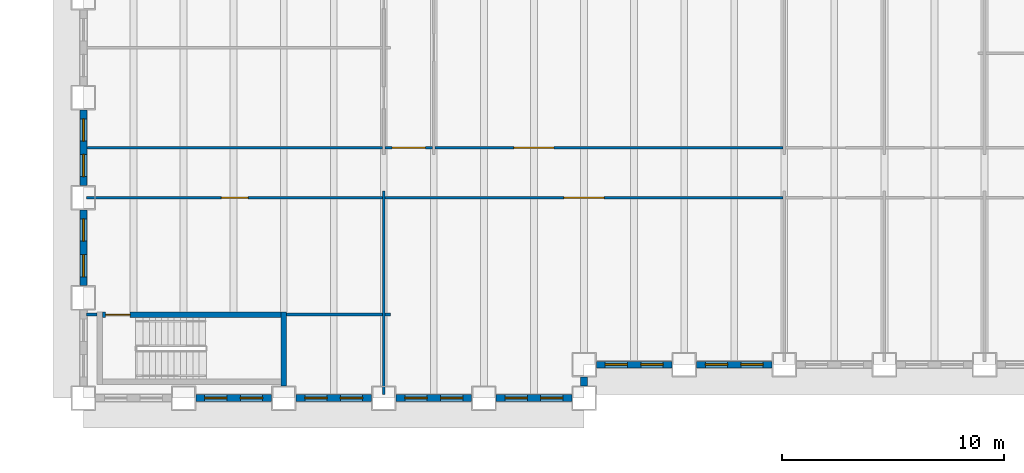
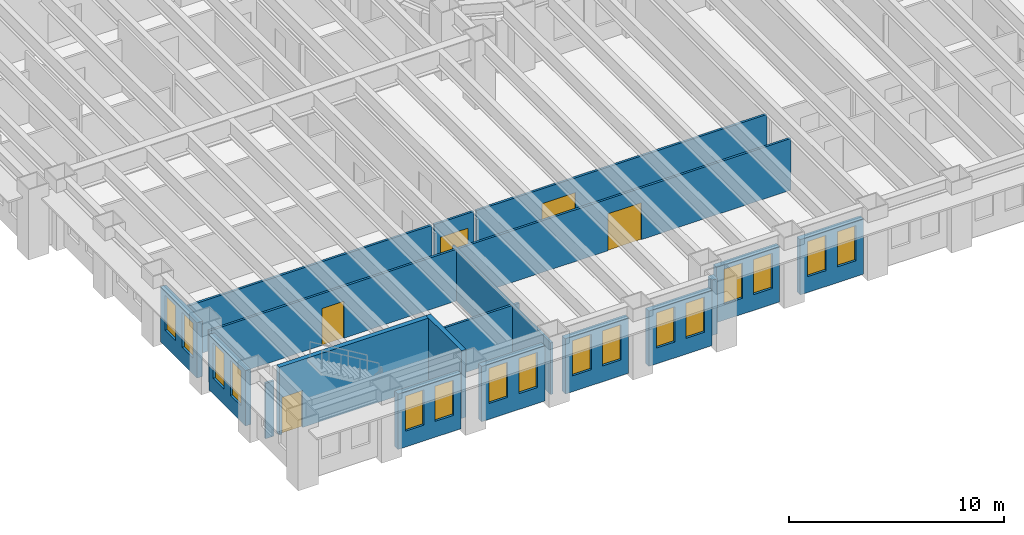
# One storey, part 3 of 15: 20 walls, 16 windows, 5 doors, 21 openings.
"""IFC4 building model written with IfcOpenShell, lengths in metres."""

from ifc_helpers import new_model, si_unit, direction, frame, frame_2d, origin, place, context, subcontext, project, spatial, rectangle, extrude, material, layer, layer_set, type_object, element, fill, save


model = new_model("IFC4")

# Units and contexts
model_context = context("Model", 3, precision=1e-05, world=origin(), true_north=direction((0.0, 1.0)))
body_context = subcontext(model_context, "Body", "Model", "MODEL_VIEW")
ifc_project = project(units=[si_unit("LENGTHUNIT", "METRE"), si_unit("AREAUNIT", "SQUARE_METRE"), si_unit("VOLUMEUNIT", "CUBIC_METRE"), si_unit("PLANEANGLEUNIT", "RADIAN"), si_unit("MASSUNIT", "GRAM", prefix="KILO")], contexts=[model_context])

# Site, building, storey
site_placement = place(None, origin())
site = spatial("IfcSite", under=ifc_project, at=site_placement, CompositionType="ELEMENT")
building_placement = place(site_placement, origin())
building = spatial("IfcBuilding", under=site, at=building_placement, Name="Sennacour Bend Tower", CompositionType="ELEMENT")
storey_placement = place(building_placement, frame((0.0, 0.0, 65.0)))
storey = spatial("IfcBuildingStorey", under=building, at=storey_placement, Name="L14", CompositionType="ELEMENT", Elevation=65.0)

# Walls
ifc_material_1 = material(Name="Plasterboard partition on steel studs", Category="steel")
ifc_layer_1 = layer(ifc_material_1, 0.1201171875, Name="Plasterboard partition on steel studs", Category="steel")
ifc_layer_set_1 = layer_set([ifc_layer_1], Name="Plasterboard partition on steel studs")
wall_type_1 = type_object("IfcWallType", Name="Partition 120", PredefinedType="PARTITIONING", material=ifc_layer_set_1)
wall_1_placement = place(storey_placement, frame((13.5, 0.14990234375, 0.0), z_axis=(0.0, 0.0, 1.0), x_axis=(0.0, 1.0, 0.0)))
element("IfcWall", 1, at=wall_1_placement, inside=storey, type_object=wall_type_1, Name="P-L14-W012a", PredefinedType="PARTITIONING", context=body_context, shape_type="SweptSolid", body=[
    extrude(rectangle(XDim=9.150146484375, YDim=0.1201171875, at=frame_2d((4.5751953125, 0.0))), origin(), (0.0, 0.0, 1.0), 2.93798828125),
])
wall_2_placement = place(storey_placement, frame((0.14990234375, 3.75, 0.0), z_axis=(0.0, 0.0, 1.0), x_axis=(1.0, 0.0, 0.0)))
element("IfcWall", 2, at=wall_2_placement, inside=storey, type_object=wall_type_1, Name="P-L14-W045a", PredefinedType="PARTITIONING", context=body_context, shape_type="SweptSolid", body=[
    extrude(rectangle(XDim=0.4501953125, YDim=0.1201171875, at=frame_2d((0.22509765625, 0.0))), origin(), (0.0, 0.0, 1.0), 3.14404296875),
])
wall_3_placement = place(storey_placement, frame((9.125, 3.75, 0.0), z_axis=(0.0, 0.0, 1.0), x_axis=(1.0, 0.0, 0.0)))
element("IfcWall", 3, at=wall_3_placement, inside=storey, type_object=wall_type_1, Name="P-L14-W047aa", PredefinedType="PARTITIONING", context=body_context, shape_type="SweptSolid", body=[
    extrude(rectangle(XDim=4.31494140625, YDim=0.1201171875, at=frame_2d((2.157470703125, 0.0))), origin(), (0.0, 0.0, 1.0), 2.93798828125),
])
wall_4_placement = place(storey_placement, frame((13.56005859375, 3.75, 0.0), z_axis=(0.0, 0.0, 1.0), x_axis=(1.0, 0.0, 0.0)))
element("IfcWall", 4, at=wall_4_placement, inside=storey, type_object=wall_type_1, Name="P-L14-W047ab", PredefinedType="PARTITIONING", context=body_context, shape_type="SweptSolid", body=[
    extrude(rectangle(XDim=0.239990234375, YDim=0.1201171875, at=frame_2d((0.1201171875, 0.0))), origin(), (0.0, 0.0, 1.0), 2.93798828125),
])

# Wall, opening, door
wall_5_placement = place(storey_placement, frame((13.56005859375, 9.0, 0.0), z_axis=(0.0, 0.0, 1.0), x_axis=(1.0, 0.0, 0.0)))
wall_5 = element("IfcWall", 5, at=wall_5_placement, inside=storey, type_object=wall_type_1, Name="P-L14-W051ab", PredefinedType="PARTITIONING", context=body_context, shape_type="SweptSolid", body=[
    extrude(rectangle(XDim=17.8798828125, YDim=0.1201171875, at=frame_2d((8.93994140625, 0.0))), origin(), (0.0, 0.0, 1.0), 2.93798828125),
])
opening_1_placement = place(wall_5_placement, frame((8.039794921875, 0.0, 0.0)))
opening_1 = element("IfcOpeningElement", 6, at=opening_1_placement, cuts=wall_5, Name="Opening OD3", PredefinedType="OPENING", context=body_context, shape_type="SweptSolid", body=[
    extrude(rectangle(XDim=1.800048828125, YDim=2.10009765625, at=frame_2d((0.89990234375, 1.050048828125))), frame((0.0, 0.070068359375, 0.0), z_axis=(0.0, -1.0, 0.0), x_axis=(1.0, 0.0, 0.0)), (0.0, 0.0, 1.0), 0.14013671875),
])
ifc_material_2 = material(Name="Timber", Category="wood")
door_type_1 = type_object("IfcDoorType", Name="DR-OFFICE-1800", OperationType="NOTDEFINED", PredefinedType="DOOR", material=ifc_material_2)
door_1_placement = place(opening_1_placement, origin())
door_1 = element("IfcDoor", 7, at=door_1_placement, inside=storey, type_object=door_type_1, Name="Door", OperationType="DOUBLE_DOOR_SINGLE_SWING", OverallHeight=2.10009765625, OverallWidth=1.800048828125, PredefinedType="DOOR", context=body_context, shape_type="SweptSolid", body=[
    extrude(rectangle(XDim=1.800048828125, YDim=2.10009765625, at=frame_2d((0.89990234375, 1.050048828125))), frame((0.0, 0.02490234375, 0.0), z_axis=(0.0, -1.0, 0.0), x_axis=(1.0, 0.0, 0.0)), (0.0, 0.0, 1.0), 0.050048828125),
])
fill(opening_1, door_1)

# Wall
wall_6_placement = place(storey_placement, frame((0.14990234375, 11.25, 0.0), z_axis=(0.0, 0.0, 1.0), x_axis=(1.0, 0.0, 0.0)))
element("IfcWall", 8, at=wall_6_placement, inside=storey, type_object=wall_type_1, Name="P-L14-W053aa", PredefinedType="PARTITIONING", context=body_context, shape_type="SweptSolid", body=[
    extrude(rectangle(XDim=13.2900390625, YDim=0.1201171875, at=frame_2d((6.64501953125, 0.0))), origin(), (0.0, 0.0, 1.0), 2.93798828125),
])

# Wall, opening, door
wall_7_placement = place(storey_placement, frame((15.81005859375, 11.25, 0.0), z_axis=(0.0, 0.0, 1.0), x_axis=(1.0, 0.0, 0.0)))
wall_7 = element("IfcWall", 9, at=wall_7_placement, inside=storey, type_object=wall_type_1, Name="P-L14-W053ac", PredefinedType="PARTITIONING", context=body_context, shape_type="SweptSolid", body=[
    extrude(rectangle(XDim=15.6298828125, YDim=0.1201171875, at=frame_2d((7.81494140625, 0.0))), origin(), (0.0, 0.0, 1.0), 2.93798828125),
])
opening_2_placement = place(wall_7_placement, frame((3.539794921875, 0.0, 0.0)))
opening_2 = element("IfcOpeningElement", 10, at=opening_2_placement, cuts=wall_7, Name="Opening OD3", PredefinedType="OPENING", context=body_context, shape_type="SweptSolid", body=[
    extrude(rectangle(XDim=1.800048828125, YDim=2.10009765625, at=frame_2d((0.89990234375, 1.050048828125))), frame((0.0, 0.070068359375, 0.0), z_axis=(0.0, -1.0, 0.0), x_axis=(1.0, 0.0, 0.0)), (0.0, 0.0, 1.0), 0.14013671875),
])
door_2_placement = place(opening_2_placement, origin())
door_2 = element("IfcDoor", 11, at=door_2_placement, inside=storey, type_object=door_type_1, Name="Door", OperationType="DOUBLE_DOOR_SINGLE_SWING", OverallHeight=2.10009765625, OverallWidth=1.800048828125, PredefinedType="DOOR", context=body_context, shape_type="SweptSolid", body=[
    extrude(rectangle(XDim=1.800048828125, YDim=2.10009765625, at=frame_2d((0.89990234375, 1.050048828125))), frame((0.0, 0.02490234375, 0.0), z_axis=(0.0, -1.0, 0.0), x_axis=(1.0, 0.0, 0.0)), (0.0, 0.0, 1.0), 0.050048828125),
])
fill(opening_2, door_2)

ifc_layer_2 = layer(ifc_material_1, 0.1201171875, Name="Plasterboard partition on steel studs", Category="steel")
ifc_layer_set_2 = layer_set([ifc_layer_2], Name="Plasterboard partition on steel studs")
wall_type_2 = type_object("IfcWallType", Name="Partition 120 EI 30", PredefinedType="PARTITIONING", material=ifc_layer_set_2)
wall_8_placement = place(storey_placement, frame((0.14990234375, 9.0, 0.0), z_axis=(0.0, 0.0, 1.0), x_axis=(1.0, 0.0, 0.0)))
wall_8 = element("IfcWall", 12, at=wall_8_placement, inside=storey, type_object=wall_type_2, Name="P-L14-W051aa", PredefinedType="PARTITIONING", context=body_context, shape_type="SweptSolid", body=[
    extrude(rectangle(XDim=13.2900390625, YDim=0.1201171875, at=frame_2d((6.64501953125, 0.0))), origin(), (0.0, 0.0, 1.0), 2.93798828125),
])
opening_3_placement = place(wall_8_placement, frame((6.05517578125, 0.0, 0.0)))
opening_3 = element("IfcOpeningElement", 13, at=opening_3_placement, cuts=wall_8, Name="Opening KD2", PredefinedType="OPENING", context=body_context, shape_type="SweptSolid", body=[
    extrude(rectangle(XDim=1.199951171875, YDim=2.10009765625, at=frame_2d((0.60009765625, 1.050048828125))), frame((0.0, 0.070068359375, 0.0), z_axis=(0.0, -1.0, 0.0), x_axis=(1.0, 0.0, 0.0)), (0.0, 0.0, 1.0), 0.14013671875),
])
ifc_material_3 = material(Name="Painted steel", Category="steel")
door_type_2 = type_object("IfcDoorType", Name="DR-CORRIDOR-1200", OperationType="NOTDEFINED", PredefinedType="DOOR", material=ifc_material_3)
door_3_placement = place(opening_3_placement, origin())
door_3 = element("IfcDoor", 14, at=door_3_placement, inside=storey, type_object=door_type_2, Name="Door", OperationType="SINGLE_SWING_LEFT", OverallHeight=2.10009765625, OverallWidth=1.199951171875, PredefinedType="DOOR", context=body_context, shape_type="SweptSolid", body=[
    extrude(rectangle(XDim=1.199951171875, YDim=2.10009765625, at=frame_2d((0.60009765625, 1.050048828125))), frame((0.0, 0.02490234375, 0.0), z_axis=(0.0, -1.0, 0.0), x_axis=(1.0, 0.0, 0.0)), (0.0, 0.0, 1.0), 0.050048828125),
])
fill(opening_3, door_3)

wall_9_placement = place(storey_placement, frame((13.56005859375, 11.25, 0.0), z_axis=(0.0, 0.0, 1.0), x_axis=(1.0, 0.0, 0.0)))
wall_9 = element("IfcWall", 15, at=wall_9_placement, inside=storey, type_object=wall_type_2, Name="P-L14-W053ab", PredefinedType="PARTITIONING", context=body_context, shape_type="SweptSolid", body=[
    extrude(rectangle(XDim=2.1298828125, YDim=0.1201171875, at=frame_2d((1.06494140625, 0.0))), origin(), (0.0, 0.0, 1.0), 2.93798828125),
])
opening_4_placement = place(wall_9_placement, frame((0.31494140625, 0.0, 0.0)))
opening_4 = element("IfcOpeningElement", 16, at=opening_4_placement, cuts=wall_9, Name="Opening KD", PredefinedType="OPENING", context=body_context, shape_type="SweptSolid", body=[
    extrude(rectangle(XDim=1.5, YDim=2.10009765625, at=frame_2d((0.75, 1.050048828125))), frame((0.0, 0.070068359375, 0.0), z_axis=(0.0, -1.0, 0.0), x_axis=(1.0, 0.0, 0.0)), (0.0, 0.0, 1.0), 0.14013671875),
])
door_type_3 = type_object("IfcDoorType", Name="DR-CORRIDOR-1500", OperationType="NOTDEFINED", PredefinedType="DOOR", material=ifc_material_3)
door_4_placement = place(opening_4_placement, origin())
door_4 = element("IfcDoor", 17, at=door_4_placement, inside=storey, type_object=door_type_3, Name="Door", OperationType="SINGLE_SWING_LEFT", OverallHeight=2.10009765625, OverallWidth=1.5, PredefinedType="DOOR", context=body_context, shape_type="SweptSolid", body=[
    extrude(rectangle(XDim=1.5, YDim=2.10009765625, at=frame_2d((0.75, 1.050048828125))), frame((0.0, 0.02490234375, 0.0), z_axis=(0.0, -1.0, 0.0), x_axis=(1.0, 0.0, 0.0)), (0.0, 0.0, 1.0), 0.050048828125),
])
fill(opening_4, door_4)

# Wall, openings, windows
ifc_material_4 = material(Name="Warm limestone cladding", Category="masonry")
ifc_layer_3 = layer(ifc_material_4, 0.050048828125, Name="Warm limestone cladding", Category="masonry")
ifc_material_5 = material(Name="Precast concrete C40/50", Category="concrete")
ifc_layer_4 = layer(ifc_material_5, 0.25, Name="Precast concrete C40/50", Category="concrete")
ifc_layer_set_3 = layer_set([ifc_layer_3, ifc_layer_4], Name="Precast concrete C40/50 with limestone cladding")
wall_type_3 = type_object("IfcWallType", Name="STONE-CLAD PRECAST SPANDREL 300", PredefinedType="STANDARD", material=ifc_layer_set_3)
wall_10_placement = place(storey_placement, frame((5.050048828125, 0.0, 0.0), z_axis=(0.0, 0.0, 1.0), x_axis=(1.0, 0.0, 0.0)))
wall_10 = element("IfcWall", 18, at=wall_10_placement, inside=storey, type_object=wall_type_3, Name="Stone spandrel and pier wall L14 00.01", PredefinedType="STANDARD", context=body_context, shape_type="SweptSolid", body=[
    extrude(rectangle(XDim=3.39990234375, YDim=0.300048828125, at=frame_2d((1.699951171875, 0.0))), origin(), (0.0, 0.0, 1.0), 3.14404296875),
])
opening_5_placement = place(wall_10_placement, frame((0.39990234375, 0.0, 0.89990234375)))
opening_5 = element("IfcOpeningElement", 19, at=opening_5_placement, cuts=wall_10, Name="Opening W8", PredefinedType="OPENING", context=body_context, shape_type="SweptSolid", body=[
    extrude(rectangle(XDim=1.0, YDim=2.0, at=frame_2d((0.5, 1.0))), frame((0.0, 0.16015625, 0.0), z_axis=(0.0, -1.0, 0.0), x_axis=(1.0, 0.0, 0.0)), (0.0, 0.0, 1.0), 0.320068359375),
])
opening_6_placement = place(wall_10_placement, frame((2.0, 0.0, 0.89990234375)))
opening_6 = element("IfcOpeningElement", 20, at=opening_6_placement, cuts=wall_10, Name="Opening W8", PredefinedType="OPENING", context=body_context, shape_type="SweptSolid", body=[
    extrude(rectangle(XDim=1.0, YDim=2.0, at=frame_2d((0.5, 1.0))), frame((0.0, 0.16015625, 0.0), z_axis=(0.0, -1.0, 0.0), x_axis=(1.0, 0.0, 0.0)), (0.0, 0.0, 1.0), 0.320068359375),
])
ifc_material_6 = material(Name="Clear low-emissivity glass", Category="glass")
window_type = type_object("IfcWindowType", Name="WIN-RIBBON-1000x2000", PartitioningType="SINGLE_PANEL", PredefinedType="WINDOW", material=ifc_material_6)
window_1_placement = place(opening_5_placement, origin())
window_1 = element("IfcWindow", 21, at=window_1_placement, inside=storey, type_object=window_type, Name="Ribbon window L14 00.01.0", OverallHeight=2.0, OverallWidth=1.0, PartitioningType="SINGLE_PANEL", PredefinedType="WINDOW", context=body_context, shape_type="SweptSolid", body=[
    extrude(rectangle(XDim=1.0, YDim=2.0, at=frame_2d((0.5, 1.0))), frame((0.0, 0.030029296875, 0.0), z_axis=(0.0, -1.0, 0.0), x_axis=(1.0, 0.0, 0.0)), (0.0, 0.0, 1.0), 0.06005859375),
])
fill(opening_5, window_1)
window_2_placement = place(opening_6_placement, origin())
window_2 = element("IfcWindow", 22, at=window_2_placement, inside=storey, type_object=window_type, Name="Ribbon window L14 00.01.1", OverallHeight=2.0, OverallWidth=1.0, PartitioningType="SINGLE_PANEL", PredefinedType="WINDOW", context=body_context, shape_type="SweptSolid", body=[
    extrude(rectangle(XDim=1.0, YDim=2.0, at=frame_2d((0.5, 1.0))), frame((0.0, 0.030029296875, 0.0), z_axis=(0.0, -1.0, 0.0), x_axis=(1.0, 0.0, 0.0)), (0.0, 0.0, 1.0), 0.06005859375),
])
fill(opening_6, window_2)

wall_11_placement = place(storey_placement, frame((9.550048828125, 0.0, 0.0), z_axis=(0.0, 0.0, 1.0), x_axis=(1.0, 0.0, 0.0)))
wall_11 = element("IfcWall", 23, at=wall_11_placement, inside=storey, type_object=wall_type_3, Name="Stone spandrel and pier wall L14 00.02", PredefinedType="STANDARD", context=body_context, shape_type="SweptSolid", body=[
    extrude(rectangle(XDim=3.39990234375, YDim=0.300048828125, at=frame_2d((1.699951171875, 0.0))), origin(), (0.0, 0.0, 1.0), 3.14404296875),
])
opening_7_placement = place(wall_11_placement, frame((0.39990234375, 0.0, 0.89990234375)))
opening_7 = element("IfcOpeningElement", 24, at=opening_7_placement, cuts=wall_11, Name="Opening W8", PredefinedType="OPENING", context=body_context, shape_type="SweptSolid", body=[
    extrude(rectangle(XDim=1.0, YDim=2.0, at=frame_2d((0.5, 1.0))), frame((0.0, 0.16015625, 0.0), z_axis=(0.0, -1.0, 0.0), x_axis=(1.0, 0.0, 0.0)), (0.0, 0.0, 1.0), 0.320068359375),
])
opening_8_placement = place(wall_11_placement, frame((2.0, 0.0, 0.89990234375)))
opening_8 = element("IfcOpeningElement", 25, at=opening_8_placement, cuts=wall_11, Name="Opening W8", PredefinedType="OPENING", context=body_context, shape_type="SweptSolid", body=[
    extrude(rectangle(XDim=1.0, YDim=2.0, at=frame_2d((0.5, 1.0))), frame((0.0, 0.16015625, 0.0), z_axis=(0.0, -1.0, 0.0), x_axis=(1.0, 0.0, 0.0)), (0.0, 0.0, 1.0), 0.320068359375),
])
window_3_placement = place(opening_7_placement, origin())
window_3 = element("IfcWindow", 26, at=window_3_placement, inside=storey, type_object=window_type, Name="Ribbon window L14 00.02.0", OverallHeight=2.0, OverallWidth=1.0, PartitioningType="SINGLE_PANEL", PredefinedType="WINDOW", context=body_context, shape_type="SweptSolid", body=[
    extrude(rectangle(XDim=1.0, YDim=2.0, at=frame_2d((0.5, 1.0))), frame((0.0, 0.030029296875, 0.0), z_axis=(0.0, -1.0, 0.0), x_axis=(1.0, 0.0, 0.0)), (0.0, 0.0, 1.0), 0.06005859375),
])
fill(opening_7, window_3)
window_4_placement = place(opening_8_placement, origin())
window_4 = element("IfcWindow", 27, at=window_4_placement, inside=storey, type_object=window_type, Name="Ribbon window L14 00.02.1", OverallHeight=2.0, OverallWidth=1.0, PartitioningType="SINGLE_PANEL", PredefinedType="WINDOW", context=body_context, shape_type="SweptSolid", body=[
    extrude(rectangle(XDim=1.0, YDim=2.0, at=frame_2d((0.5, 1.0))), frame((0.0, 0.030029296875, 0.0), z_axis=(0.0, -1.0, 0.0), x_axis=(1.0, 0.0, 0.0)), (0.0, 0.0, 1.0), 0.06005859375),
])
fill(opening_8, window_4)

wall_12_placement = place(storey_placement, frame((14.050048828125, 0.0, 0.0), z_axis=(0.0, 0.0, 1.0), x_axis=(1.0, 0.0, 0.0)))
wall_12 = element("IfcWall", 28, at=wall_12_placement, inside=storey, type_object=wall_type_3, Name="Stone spandrel and pier wall L14 00.03", PredefinedType="STANDARD", context=body_context, shape_type="SweptSolid", body=[
    extrude(rectangle(XDim=3.39990234375, YDim=0.300048828125, at=frame_2d((1.699951171875, 0.0))), origin(), (0.0, 0.0, 1.0), 3.14404296875),
])
opening_9_placement = place(wall_12_placement, frame((0.39990234375, 0.0, 0.89990234375)))
opening_9 = element("IfcOpeningElement", 29, at=opening_9_placement, cuts=wall_12, Name="Opening W8", PredefinedType="OPENING", context=body_context, shape_type="SweptSolid", body=[
    extrude(rectangle(XDim=1.0, YDim=2.0, at=frame_2d((0.5, 1.0))), frame((0.0, 0.16015625, 0.0), z_axis=(0.0, -1.0, 0.0), x_axis=(1.0, 0.0, 0.0)), (0.0, 0.0, 1.0), 0.320068359375),
])
opening_10_placement = place(wall_12_placement, frame((2.0, 0.0, 0.89990234375)))
opening_10 = element("IfcOpeningElement", 30, at=opening_10_placement, cuts=wall_12, Name="Opening W8", PredefinedType="OPENING", context=body_context, shape_type="SweptSolid", body=[
    extrude(rectangle(XDim=1.0, YDim=2.0, at=frame_2d((0.5, 1.0))), frame((0.0, 0.16015625, 0.0), z_axis=(0.0, -1.0, 0.0), x_axis=(1.0, 0.0, 0.0)), (0.0, 0.0, 1.0), 0.320068359375),
])
window_5_placement = place(opening_9_placement, origin())
window_5 = element("IfcWindow", 31, at=window_5_placement, inside=storey, type_object=window_type, Name="Ribbon window L14 00.03.0", OverallHeight=2.0, OverallWidth=1.0, PartitioningType="SINGLE_PANEL", PredefinedType="WINDOW", context=body_context, shape_type="SweptSolid", body=[
    extrude(rectangle(XDim=1.0, YDim=2.0, at=frame_2d((0.5, 1.0))), frame((0.0, 0.030029296875, 0.0), z_axis=(0.0, -1.0, 0.0), x_axis=(1.0, 0.0, 0.0)), (0.0, 0.0, 1.0), 0.06005859375),
])
fill(opening_9, window_5)
window_6_placement = place(opening_10_placement, origin())
window_6 = element("IfcWindow", 32, at=window_6_placement, inside=storey, type_object=window_type, Name="Ribbon window L14 00.03.1", OverallHeight=2.0, OverallWidth=1.0, PartitioningType="SINGLE_PANEL", PredefinedType="WINDOW", context=body_context, shape_type="SweptSolid", body=[
    extrude(rectangle(XDim=1.0, YDim=2.0, at=frame_2d((0.5, 1.0))), frame((0.0, 0.030029296875, 0.0), z_axis=(0.0, -1.0, 0.0), x_axis=(1.0, 0.0, 0.0)), (0.0, 0.0, 1.0), 0.06005859375),
])
fill(opening_10, window_6)

wall_13_placement = place(storey_placement, frame((18.550048828125, 0.0, 0.0), z_axis=(0.0, 0.0, 1.0), x_axis=(1.0, 0.0, 0.0)))
wall_13 = element("IfcWall", 33, at=wall_13_placement, inside=storey, type_object=wall_type_3, Name="Stone spandrel and pier wall L14 00.04", PredefinedType="STANDARD", context=body_context, shape_type="SweptSolid", body=[
    extrude(rectangle(XDim=3.39990234375, YDim=0.300048828125, at=frame_2d((1.699951171875, 0.0))), origin(), (0.0, 0.0, 1.0), 3.14404296875),
])
opening_11_placement = place(wall_13_placement, frame((0.39990234375, 0.0, 0.89990234375)))
opening_11 = element("IfcOpeningElement", 34, at=opening_11_placement, cuts=wall_13, Name="Opening W8", PredefinedType="OPENING", context=body_context, shape_type="SweptSolid", body=[
    extrude(rectangle(XDim=1.0, YDim=2.0, at=frame_2d((0.5, 1.0))), frame((0.0, 0.16015625, 0.0), z_axis=(0.0, -1.0, 0.0), x_axis=(1.0, 0.0, 0.0)), (0.0, 0.0, 1.0), 0.320068359375),
])
opening_12_placement = place(wall_13_placement, frame((2.0, 0.0, 0.89990234375)))
opening_12 = element("IfcOpeningElement", 35, at=opening_12_placement, cuts=wall_13, Name="Opening W8", PredefinedType="OPENING", context=body_context, shape_type="SweptSolid", body=[
    extrude(rectangle(XDim=1.0, YDim=2.0, at=frame_2d((0.5, 1.0))), frame((0.0, 0.16015625, 0.0), z_axis=(0.0, -1.0, 0.0), x_axis=(1.0, 0.0, 0.0)), (0.0, 0.0, 1.0), 0.320068359375),
])
window_7_placement = place(opening_11_placement, origin())
window_7 = element("IfcWindow", 36, at=window_7_placement, inside=storey, type_object=window_type, Name="Ribbon window L14 00.04.0", OverallHeight=2.0, OverallWidth=1.0, PartitioningType="SINGLE_PANEL", PredefinedType="WINDOW", context=body_context, shape_type="SweptSolid", body=[
    extrude(rectangle(XDim=1.0, YDim=2.0, at=frame_2d((0.5, 1.0))), frame((0.0, 0.030029296875, 0.0), z_axis=(0.0, -1.0, 0.0), x_axis=(1.0, 0.0, 0.0)), (0.0, 0.0, 1.0), 0.06005859375),
])
fill(opening_11, window_7)
window_8_placement = place(opening_12_placement, origin())
window_8 = element("IfcWindow", 37, at=window_8_placement, inside=storey, type_object=window_type, Name="Ribbon window L14 00.04.1", OverallHeight=2.0, OverallWidth=1.0, PartitioningType="SINGLE_PANEL", PredefinedType="WINDOW", context=body_context, shape_type="SweptSolid", body=[
    extrude(rectangle(XDim=1.0, YDim=2.0, at=frame_2d((0.5, 1.0))), frame((0.0, 0.030029296875, 0.0), z_axis=(0.0, -1.0, 0.0), x_axis=(1.0, 0.0, 0.0)), (0.0, 0.0, 1.0), 0.06005859375),
])
fill(opening_12, window_8)

# Wall
wall_14_placement = place(storey_placement, frame((22.5, 0.550048828125, 0.0), z_axis=(0.0, 0.0, 1.0), x_axis=(0.0, 1.0, 0.0)))
element("IfcWall", 38, at=wall_14_placement, inside=storey, type_object=wall_type_3, Name="Stone spandrel and pier wall L14 01.00", PredefinedType="STANDARD", context=body_context, shape_type="SweptSolid", body=[
    extrude(rectangle(XDim=0.39990234375, YDim=0.300048828125, at=frame_2d((0.199951171875, 0.0))), origin(), (0.0, 0.0, 1.0), 3.14404296875),
])

# Wall, openings, windows
wall_15_placement = place(storey_placement, frame((23.050048828125, 1.5, 0.0), z_axis=(0.0, 0.0, 1.0), x_axis=(1.0, 0.0, 0.0)))
wall_15 = element("IfcWall", 39, at=wall_15_placement, inside=storey, type_object=wall_type_3, Name="Stone spandrel and pier wall L14 02.00", PredefinedType="STANDARD", context=body_context, shape_type="SweptSolid", body=[
    extrude(rectangle(XDim=3.39990234375, YDim=0.300048828125, at=frame_2d((1.699951171875, 0.0))), origin(), (0.0, 0.0, 1.0), 3.14404296875),
])
opening_13_placement = place(wall_15_placement, frame((0.39990234375, 0.0, 0.89990234375)))
opening_13 = element("IfcOpeningElement", 40, at=opening_13_placement, cuts=wall_15, Name="Opening W8", PredefinedType="OPENING", context=body_context, shape_type="SweptSolid", body=[
    extrude(rectangle(XDim=1.0, YDim=2.0, at=frame_2d((0.5, 1.0))), frame((0.0, 0.16015625, 0.0), z_axis=(0.0, -1.0, 0.0), x_axis=(1.0, 0.0, 0.0)), (0.0, 0.0, 1.0), 0.320068359375),
])
opening_14_placement = place(wall_15_placement, frame((2.0, 0.0, 0.89990234375)))
opening_14 = element("IfcOpeningElement", 41, at=opening_14_placement, cuts=wall_15, Name="Opening W8", PredefinedType="OPENING", context=body_context, shape_type="SweptSolid", body=[
    extrude(rectangle(XDim=1.0, YDim=2.0, at=frame_2d((0.5, 1.0))), frame((0.0, 0.16015625, 0.0), z_axis=(0.0, -1.0, 0.0), x_axis=(1.0, 0.0, 0.0)), (0.0, 0.0, 1.0), 0.320068359375),
])
window_9_placement = place(opening_13_placement, origin())
window_9 = element("IfcWindow", 42, at=window_9_placement, inside=storey, type_object=window_type, Name="Ribbon window L14 02.00.0", OverallHeight=2.0, OverallWidth=1.0, PartitioningType="SINGLE_PANEL", PredefinedType="WINDOW", context=body_context, shape_type="SweptSolid", body=[
    extrude(rectangle(XDim=1.0, YDim=2.0, at=frame_2d((0.5, 1.0))), frame((0.0, 0.030029296875, 0.0), z_axis=(0.0, -1.0, 0.0), x_axis=(1.0, 0.0, 0.0)), (0.0, 0.0, 1.0), 0.06005859375),
])
fill(opening_13, window_9)
window_10_placement = place(opening_14_placement, origin())
window_10 = element("IfcWindow", 43, at=window_10_placement, inside=storey, type_object=window_type, Name="Ribbon window L14 02.00.1", OverallHeight=2.0, OverallWidth=1.0, PartitioningType="SINGLE_PANEL", PredefinedType="WINDOW", context=body_context, shape_type="SweptSolid", body=[
    extrude(rectangle(XDim=1.0, YDim=2.0, at=frame_2d((0.5, 1.0))), frame((0.0, 0.030029296875, 0.0), z_axis=(0.0, -1.0, 0.0), x_axis=(1.0, 0.0, 0.0)), (0.0, 0.0, 1.0), 0.06005859375),
])
fill(opening_14, window_10)

wall_16_placement = place(storey_placement, frame((27.550048828125, 1.5, 0.0), z_axis=(0.0, 0.0, 1.0), x_axis=(1.0, 0.0, 0.0)))
wall_16 = element("IfcWall", 44, at=wall_16_placement, inside=storey, type_object=wall_type_3, Name="Stone spandrel and pier wall L14 02.01", PredefinedType="STANDARD", context=body_context, shape_type="SweptSolid", body=[
    extrude(rectangle(XDim=3.39990234375, YDim=0.300048828125, at=frame_2d((1.699951171875, 0.0))), origin(), (0.0, 0.0, 1.0), 3.14404296875),
])
opening_15_placement = place(wall_16_placement, frame((0.39990234375, 0.0, 0.89990234375)))
opening_15 = element("IfcOpeningElement", 45, at=opening_15_placement, cuts=wall_16, Name="Opening W8", PredefinedType="OPENING", context=body_context, shape_type="SweptSolid", body=[
    extrude(rectangle(XDim=1.0, YDim=2.0, at=frame_2d((0.5, 1.0))), frame((0.0, 0.16015625, 0.0), z_axis=(0.0, -1.0, 0.0), x_axis=(1.0, 0.0, 0.0)), (0.0, 0.0, 1.0), 0.320068359375),
])
opening_16_placement = place(wall_16_placement, frame((2.0, 0.0, 0.89990234375)))
opening_16 = element("IfcOpeningElement", 46, at=opening_16_placement, cuts=wall_16, Name="Opening W8", PredefinedType="OPENING", context=body_context, shape_type="SweptSolid", body=[
    extrude(rectangle(XDim=1.0, YDim=2.0, at=frame_2d((0.5, 1.0))), frame((0.0, 0.16015625, 0.0), z_axis=(0.0, -1.0, 0.0), x_axis=(1.0, 0.0, 0.0)), (0.0, 0.0, 1.0), 0.320068359375),
])
window_11_placement = place(opening_15_placement, origin())
window_11 = element("IfcWindow", 47, at=window_11_placement, inside=storey, type_object=window_type, Name="Ribbon window L14 02.01.0", OverallHeight=2.0, OverallWidth=1.0, PartitioningType="SINGLE_PANEL", PredefinedType="WINDOW", context=body_context, shape_type="SweptSolid", body=[
    extrude(rectangle(XDim=1.0, YDim=2.0, at=frame_2d((0.5, 1.0))), frame((0.0, 0.030029296875, 0.0), z_axis=(0.0, -1.0, 0.0), x_axis=(1.0, 0.0, 0.0)), (0.0, 0.0, 1.0), 0.06005859375),
])
fill(opening_15, window_11)
window_12_placement = place(opening_16_placement, origin())
window_12 = element("IfcWindow", 48, at=window_12_placement, inside=storey, type_object=window_type, Name="Ribbon window L14 02.01.1", OverallHeight=2.0, OverallWidth=1.0, PartitioningType="SINGLE_PANEL", PredefinedType="WINDOW", context=body_context, shape_type="SweptSolid", body=[
    extrude(rectangle(XDim=1.0, YDim=2.0, at=frame_2d((0.5, 1.0))), frame((0.0, 0.030029296875, 0.0), z_axis=(0.0, -1.0, 0.0), x_axis=(1.0, 0.0, 0.0)), (0.0, 0.0, 1.0), 0.06005859375),
])
fill(opening_16, window_12)

wall_17_placement = place(storey_placement, frame((0.0, 12.949951171875, 0.0), z_axis=(0.0, 0.0, 1.0), x_axis=(0.0, -1.0, 0.0)))
wall_17 = element("IfcWall", 49, at=wall_17_placement, inside=storey, type_object=wall_type_3, Name="Stone spandrel and pier wall L14 23.02", PredefinedType="STANDARD", context=body_context, shape_type="SweptSolid", body=[
    extrude(rectangle(XDim=3.39990234375, YDim=0.300048828125, at=frame_2d((1.699951171875, 0.0))), origin(), (0.0, 0.0, 1.0), 3.14404296875),
])
opening_17_placement = place(wall_17_placement, frame((0.39990234375, 0.0, 0.89990234375)))
opening_17 = element("IfcOpeningElement", 50, at=opening_17_placement, cuts=wall_17, Name="Opening W8", PredefinedType="OPENING", context=body_context, shape_type="SweptSolid", body=[
    extrude(rectangle(XDim=1.0, YDim=2.0, at=frame_2d((0.5, 1.0))), frame((0.0, 0.16015625, 0.0), z_axis=(0.0, -1.0, 0.0), x_axis=(1.0, 0.0, 0.0)), (0.0, 0.0, 1.0), 0.320068359375),
])
opening_18_placement = place(wall_17_placement, frame((2.0, 0.0, 0.89990234375)))
opening_18 = element("IfcOpeningElement", 51, at=opening_18_placement, cuts=wall_17, Name="Opening W8", PredefinedType="OPENING", context=body_context, shape_type="SweptSolid", body=[
    extrude(rectangle(XDim=1.0, YDim=2.0, at=frame_2d((0.5, 1.0))), frame((0.0, 0.16015625, 0.0), z_axis=(0.0, -1.0, 0.0), x_axis=(1.0, 0.0, 0.0)), (0.0, 0.0, 1.0), 0.320068359375),
])
window_13_placement = place(opening_17_placement, origin())
window_13 = element("IfcWindow", 52, at=window_13_placement, inside=storey, type_object=window_type, Name="Ribbon window L14 23.02.0", OverallHeight=2.0, OverallWidth=1.0, PartitioningType="SINGLE_PANEL", PredefinedType="WINDOW", context=body_context, shape_type="SweptSolid", body=[
    extrude(rectangle(XDim=1.0, YDim=2.0, at=frame_2d((0.5, 1.0))), frame((0.0, 0.030029296875, 0.0), z_axis=(0.0, -1.0, 0.0), x_axis=(1.0, 0.0, 0.0)), (0.0, 0.0, 1.0), 0.06005859375),
])
fill(opening_17, window_13)
window_14_placement = place(opening_18_placement, origin())
window_14 = element("IfcWindow", 53, at=window_14_placement, inside=storey, type_object=window_type, Name="Ribbon window L14 23.02.1", OverallHeight=2.0, OverallWidth=1.0, PartitioningType="SINGLE_PANEL", PredefinedType="WINDOW", context=body_context, shape_type="SweptSolid", body=[
    extrude(rectangle(XDim=1.0, YDim=2.0, at=frame_2d((0.5, 1.0))), frame((0.0, 0.030029296875, 0.0), z_axis=(0.0, -1.0, 0.0), x_axis=(1.0, 0.0, 0.0)), (0.0, 0.0, 1.0), 0.06005859375),
])
fill(opening_18, window_14)

wall_18_placement = place(storey_placement, frame((0.0, 8.449951171875, 0.0), z_axis=(0.0, 0.0, 1.0), x_axis=(0.0, -1.0, 0.0)))
wall_18 = element("IfcWall", 54, at=wall_18_placement, inside=storey, type_object=wall_type_3, Name="Stone spandrel and pier wall L14 23.03", PredefinedType="STANDARD", context=body_context, shape_type="SweptSolid", body=[
    extrude(rectangle(XDim=3.39990234375, YDim=0.300048828125, at=frame_2d((1.699951171875, 0.0))), origin(), (0.0, 0.0, 1.0), 3.14404296875),
])
opening_19_placement = place(wall_18_placement, frame((0.39990234375, 0.0, 0.89990234375)))
opening_19 = element("IfcOpeningElement", 55, at=opening_19_placement, cuts=wall_18, Name="Opening W8", PredefinedType="OPENING", context=body_context, shape_type="SweptSolid", body=[
    extrude(rectangle(XDim=1.0, YDim=2.0, at=frame_2d((0.5, 1.0))), frame((0.0, 0.16015625, 0.0), z_axis=(0.0, -1.0, 0.0), x_axis=(1.0, 0.0, 0.0)), (0.0, 0.0, 1.0), 0.320068359375),
])
opening_20_placement = place(wall_18_placement, frame((2.0, 0.0, 0.89990234375)))
opening_20 = element("IfcOpeningElement", 56, at=opening_20_placement, cuts=wall_18, Name="Opening W8", PredefinedType="OPENING", context=body_context, shape_type="SweptSolid", body=[
    extrude(rectangle(XDim=1.0, YDim=2.0, at=frame_2d((0.5, 1.0))), frame((0.0, 0.16015625, 0.0), z_axis=(0.0, -1.0, 0.0), x_axis=(1.0, 0.0, 0.0)), (0.0, 0.0, 1.0), 0.320068359375),
])
window_15_placement = place(opening_19_placement, origin())
window_15 = element("IfcWindow", 57, at=window_15_placement, inside=storey, type_object=window_type, Name="Ribbon window L14 23.03.0", OverallHeight=2.0, OverallWidth=1.0, PartitioningType="SINGLE_PANEL", PredefinedType="WINDOW", context=body_context, shape_type="SweptSolid", body=[
    extrude(rectangle(XDim=1.0, YDim=2.0, at=frame_2d((0.5, 1.0))), frame((0.0, 0.030029296875, 0.0), z_axis=(0.0, -1.0, 0.0), x_axis=(1.0, 0.0, 0.0)), (0.0, 0.0, 1.0), 0.06005859375),
])
fill(opening_19, window_15)
window_16_placement = place(opening_20_placement, origin())
window_16 = element("IfcWindow", 58, at=window_16_placement, inside=storey, type_object=window_type, Name="Ribbon window L14 23.03.1", OverallHeight=2.0, OverallWidth=1.0, PartitioningType="SINGLE_PANEL", PredefinedType="WINDOW", context=body_context, shape_type="SweptSolid", body=[
    extrude(rectangle(XDim=1.0, YDim=2.0, at=frame_2d((0.5, 1.0))), frame((0.0, 0.030029296875, 0.0), z_axis=(0.0, -1.0, 0.0), x_axis=(1.0, 0.0, 0.0)), (0.0, 0.0, 1.0), 0.06005859375),
])
fill(opening_20, window_16)

# Wall
ifc_material_7 = material(Name="Concrete C60/75", Category="concrete")
ifc_layer_5 = layer(ifc_material_7, 0.25, Name="Concrete C60/75", Category="concrete")
ifc_layer_set_4 = layer_set([ifc_layer_5], Name="Concrete C60/75")
wall_type_4 = type_object("IfcWallType", Name="Stair wall 250", PredefinedType="SHEAR", material=ifc_layer_set_4)
wall_19_placement = place(storey_placement, frame((9.0, 0.550048828125, 0.0), z_axis=(0.0, 0.0, 1.0), x_axis=(0.0, 1.0, 0.0)))
element("IfcWall", 59, at=wall_19_placement, inside=storey, type_object=wall_type_4, Name="P-L14-W009", PredefinedType="SHEAR", context=body_context, shape_type="SweptSolid", body=[
    extrude(rectangle(XDim=3.324951171875, YDim=0.25, at=frame_2d((1.66259765625, 0.0))), origin(), (0.0, 0.0, 1.0), 3.85009765625),
])

# Wall, opening, door
wall_20_placement = place(storey_placement, frame((0.85009765625, 3.75, 0.0), z_axis=(0.0, 0.0, 1.0), x_axis=(1.0, 0.0, 0.0)))
wall_20 = element("IfcWall", 60, at=wall_20_placement, inside=storey, type_object=wall_type_4, Name="P-L14-W046", PredefinedType="SHEAR", context=body_context, shape_type="SweptSolid", body=[
    extrude(rectangle(XDim=8.02490234375, YDim=0.25, at=frame_2d((4.012451171875, 0.0))), origin(), (0.0, 0.0, 1.0), 3.85009765625),
])
opening_21_placement = place(wall_20_placement, frame((0.14990234375, 0.0, 0.0)))
opening_21 = element("IfcOpeningElement", 61, at=opening_21_placement, cuts=wall_20, Name="Opening SD", PredefinedType="OPENING", context=body_context, shape_type="SweptSolid", body=[
    extrude(rectangle(XDim=1.10009765625, YDim=2.10009765625, at=frame_2d((0.550048828125, 1.050048828125))), frame((0.0, 0.135009765625, 0.0), z_axis=(0.0, -1.0, 0.0), x_axis=(1.0, 0.0, 0.0)), (0.0, 0.0, 1.0), 0.27001953125),
])
door_type_4 = type_object("IfcDoorType", Name="DR-STAIR-1100", OperationType="NOTDEFINED", PredefinedType="DOOR", material=ifc_material_3)
door_5_placement = place(opening_21_placement, origin())
door_5 = element("IfcDoor", 62, at=door_5_placement, inside=storey, type_object=door_type_4, Name="Door", OperationType="SINGLE_SWING_LEFT", OverallHeight=2.10009765625, OverallWidth=1.10009765625, PredefinedType="DOOR", context=body_context, shape_type="SweptSolid", body=[
    extrude(rectangle(XDim=1.10009765625, YDim=2.10009765625, at=frame_2d((0.550048828125, 1.050048828125))), frame((0.0, 0.02490234375, 0.0), z_axis=(0.0, -1.0, 0.0), x_axis=(1.0, 0.0, 0.0)), (0.0, 0.0, 1.0), 0.050048828125),
])
fill(opening_21, door_5)

save(model, "model.ifc")
